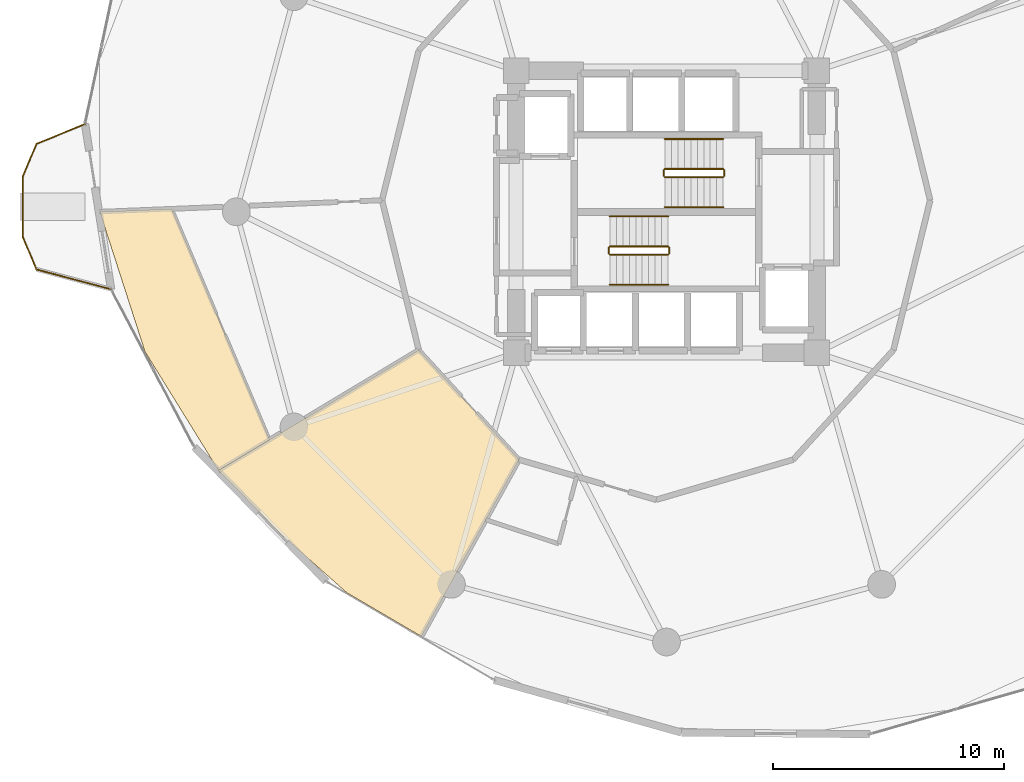
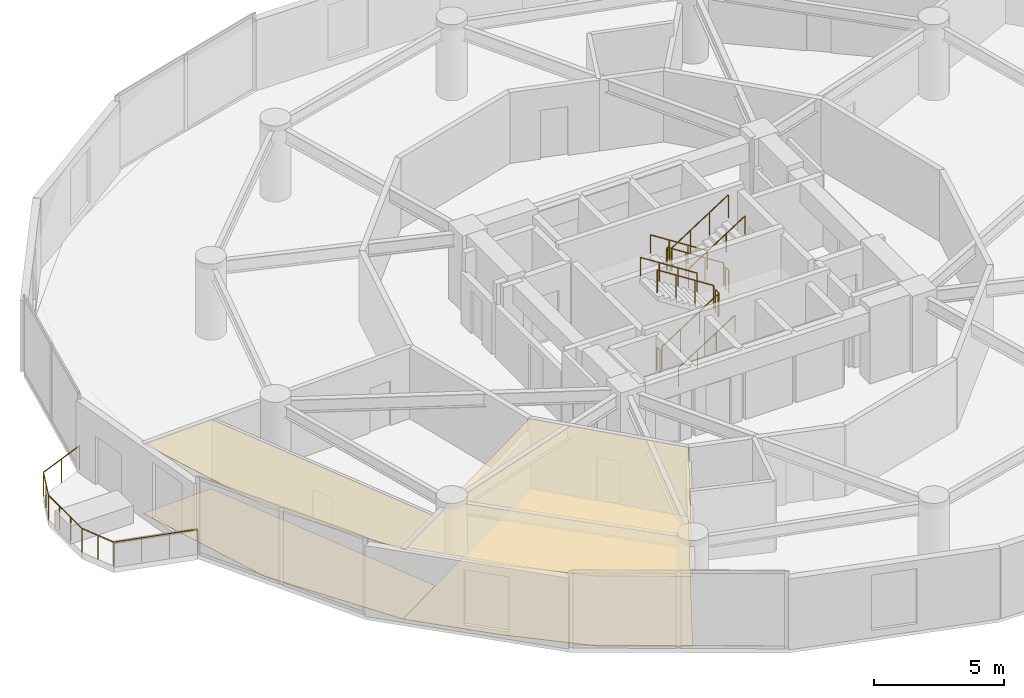
# One storey, part 23 of 24: 13 railings, 4 coverings.
"""IFC4 building model written with IfcOpenShell, lengths in metres."""

from ifc_helpers import new_model, si_unit, direction, frame, origin, origin_2d, place, context, subcontext, project, spatial, polyline, circle, outline, extrude, material, layer, layer_set, type_object, element, save


model = new_model("IFC4")

# Units and contexts
model_context = context("Model", 3, precision=1e-05, world=origin(), true_north=direction((0.0, 1.0)))
body_context = subcontext(model_context, "Body", "Model", "MODEL_VIEW")
ifc_project = project(units=[si_unit("LENGTHUNIT", "METRE"), si_unit("AREAUNIT", "SQUARE_METRE"), si_unit("VOLUMEUNIT", "CUBIC_METRE"), si_unit("PLANEANGLEUNIT", "RADIAN"), si_unit("MASSUNIT", "GRAM", prefix="KILO")], contexts=[model_context])

# Site, building, storey
site_placement = place(None, origin())
site = spatial("IfcSite", under=ifc_project, at=site_placement, CompositionType="ELEMENT")
building_placement = place(site_placement, origin())
building = spatial("IfcBuilding", under=site, at=building_placement, Name="Solvirekh Grand Hotel", CompositionType="ELEMENT")
storey_placement = place(building_placement, frame((0.0, 0.0, 82.39990234375)))
storey = spatial("IfcBuildingStorey", under=building, at=storey_placement, Name="L20", CompositionType="ELEMENT", Elevation=82.39990234375)

# Coverings
ifc_material_1 = material(Name="Acoustic Mineral Ceiling Tile")
ifc_layer_1 = layer(ifc_material_1, 0.02490234375)
ifc_layer_set_1 = layer_set([ifc_layer_1], Name="Acoustic Mineral Ceiling Tile")
covering_type_1 = type_object("IfcCoveringType", Name="Cov_Ceiling_Acoustic", PredefinedType="CEILING", material=ifc_layer_set_1)
covering_1_placement = place(storey_placement, frame((0.0, 0.0, 3.2900390625)))
element("IfcCovering", 1, at=covering_1_placement, inside=storey, type_object=covering_type_1, Name="L20 Presidential Suite 2202 Master Bedroom acoustic ceiling", PredefinedType="CEILING", context=body_context, shape_type="SweptSolid", body=[
    extrude(outline(polyline([(-24.501953125, 0.0), (-22.550048828125, -6.0419921875), (-19.3701171875, -11.18310546875), (-17.162109375, -9.85498046875), (-21.389892578125, 0.1279296875), (-24.501953125, 0.0)])), origin(), (0.0, 0.0, 1.0), 0.01806640625),
])
covering_2_placement = place(storey_placement, frame((0.0, 0.0, 3.2900390625)))
element("IfcCovering", 2, at=covering_2_placement, inside=storey, type_object=covering_type_1, Name="L20 L20 Cigar & Cognac Lounge acoustic ceiling", PredefinedType="CEILING", context=body_context, shape_type="SweptSolid", body=[
    extrude(outline(polyline([(-19.3701171875, -11.18310546875), (-16.64306640625, -13.965087890625), (-13.820068359375, -16.469970703125), (-10.59912109375, -18.35791015625), (-6.375, -10.715087890625), (-10.7119140625, -5.97509765625), (-19.3701171875, -11.18310546875)])), origin(), (0.0, 0.0, 1.0), 0.01806640625),
])
ifc_material_2 = material(Name="Porcelain Stoneware Flooring", Category="masonry")
ifc_layer_2 = layer(ifc_material_2, 0.030029296875)
ifc_layer_set_2 = layer_set([ifc_layer_2], Name="Porcelain Stoneware Flooring")
covering_type_2 = type_object("IfcCoveringType", Name="Cov_Floor_Stone", PredefinedType="FLOORING", material=ifc_layer_set_2)
covering_3_placement = place(storey_placement, origin())
element("IfcCovering", 3, at=covering_3_placement, inside=storey, type_object=covering_type_2, Name="L20 Presidential Suite 2202 Master Bedroom polished granite flooring", PredefinedType="FLOORING", context=body_context, shape_type="SweptSolid", body=[
    extrude(outline(polyline([(-24.501953125, 0.0), (-22.550048828125, -6.0419921875), (-19.3701171875, -11.18310546875), (-17.162109375, -9.85498046875), (-21.389892578125, 0.1279296875), (-24.501953125, 0.0)])), origin(), (0.0, 0.0, 1.0), 0.02001953125),
])
covering_4_placement = place(storey_placement, origin())
element("IfcCovering", 4, at=covering_4_placement, inside=storey, type_object=covering_type_2, Name="L20 L20 Cigar & Cognac Lounge polished granite flooring", PredefinedType="FLOORING", context=body_context, shape_type="SweptSolid", body=[
    extrude(outline(polyline([(-19.3701171875, -11.18310546875), (-16.64306640625, -13.965087890625), (-13.820068359375, -16.469970703125), (-10.59912109375, -18.35791015625), (-6.375, -10.715087890625), (-10.7119140625, -5.97509765625), (-19.3701171875, -11.18310546875)])), origin(), (0.0, 0.0, 1.0), 0.02001953125),
])

# Railings
ifc_material_3 = material(Name="Anodized Bronze Aluminium 6063-T6", Category="aluminium")
railing_type_1 = type_object("IfcRailingType", Name="Guard_ExtGlass_1150", PredefinedType="BALUSTRADE", material=ifc_material_3)
railing_1_placement = place(storey_placement, frame((-25.14111328125, 3.7939453125, 0.0)))
element("IfcRailing", 5, at=railing_1_placement, inside=storey, type_object=railing_type_1, Name="L20 horn perimeter glass balustrade", PredefinedType="BALUSTRADE", context=body_context, shape_type="SweptSolid", body=[
    extrude(circle(Radius=0.02392578125, at=origin_2d()), frame((0.0, 0.0, 1.1259765625), z_axis=(-0.925870700922, -0.377840502295, 0.0), x_axis=(0.377840502295, -0.925870700922, 0.0)), (0.0, 0.0, 1.0), 2.26806640625),
    extrude(circle(Radius=0.02392578125, at=origin_2d()), frame((-2.099853515625, -0.85693359375, 1.1259765625), z_axis=(-0.387197668856, -0.921996727344, 0.0), x_axis=(0.921996727344, -0.387197668856, 0.0)), (0.0, 0.0, 1.0), 1.5498046875),
    extrude(circle(Radius=0.02392578125, at=origin_2d()), frame((-2.699951171875, -2.285888671875, 1.1259765625), z_axis=(0.0, -1.0, 0.0), x_axis=(1.0, 0.0, 0.0)), (0.0, 0.0, 1.0), 2.572998046875),
    extrude(circle(Radius=0.02392578125, at=origin_2d()), frame((-2.699951171875, -4.85888671875, 1.1259765625), z_axis=(0.387197668856, -0.921996727344, 0.0), x_axis=(0.921996727344, 0.387197668856, 0.0)), (0.0, 0.0, 1.0), 1.5498046875),
    extrude(circle(Radius=0.02392578125, at=origin_2d()), frame((-2.099853515625, -6.287841796875, 1.1259765625), z_axis=(0.966524212646, -0.25657542043, 0.0), x_axis=(0.25657542043, 0.966524212646, 0.0)), (0.0, 0.0, 1.0), 3.3408203125),
    extrude(circle(Radius=0.02099609375, at=origin_2d()), origin(), (0.0, 0.0, 1.0), 1.101806640625),
    extrude(circle(Radius=0.02099609375, at=origin_2d()), frame((-1.0498046875, -0.428466796875, 0.0)), (0.0, 0.0, 1.0), 1.101806640625),
    extrude(circle(Radius=0.02099609375, at=origin_2d()), frame((-2.099853515625, -0.85693359375, 0.0)), (0.0, 0.0, 1.0), 1.101806640625),
    extrude(circle(Radius=0.02099609375, at=origin_2d()), frame((-2.39990234375, -1.5712890625, 0.0)), (0.0, 0.0, 1.0), 1.101806640625),
    extrude(circle(Radius=0.02099609375, at=origin_2d()), frame((-2.699951171875, -2.285888671875, 0.0)), (0.0, 0.0, 1.0), 1.101806640625),
    extrude(circle(Radius=0.02099609375, at=origin_2d()), frame((-2.699951171875, -3.1435546875, 0.0)), (0.0, 0.0, 1.0), 1.101806640625),
    extrude(circle(Radius=0.02099609375, at=origin_2d()), frame((-2.699951171875, -4.001220703125, 0.0)), (0.0, 0.0, 1.0), 1.101806640625),
    extrude(circle(Radius=0.02099609375, at=origin_2d()), frame((-2.699951171875, -4.85888671875, 0.0)), (0.0, 0.0, 1.0), 1.101806640625),
    extrude(circle(Radius=0.02099609375, at=origin_2d()), frame((-2.39990234375, -5.5732421875, 0.0)), (0.0, 0.0, 1.0), 1.101806640625),
    extrude(circle(Radius=0.02099609375, at=origin_2d()), frame((-2.099853515625, -6.287841796875, 0.0)), (0.0, 0.0, 1.0), 1.101806640625),
    extrude(circle(Radius=0.02099609375, at=origin_2d()), frame((-1.0234375, -6.573486328125, 0.0)), (0.0, 0.0, 1.0), 1.101806640625),
    extrude(circle(Radius=0.02099609375, at=origin_2d()), frame((0.052734375, -6.859375, 0.0)), (0.0, 0.0, 1.0), 1.101806640625),
    extrude(circle(Radius=0.02099609375, at=origin_2d()), frame((1.129150390625, -7.14501953125, 0.0)), (0.0, 0.0, 1.0), 1.101806640625),
])
ifc_material_4 = material(Name="Steel S355", Category="steel")
railing_type_2 = type_object("IfcRailingType", Name="Guard_Stair_1100", PredefinedType="GUARDRAIL", material=ifc_material_4)
railing_2_placement = place(storey_placement, frame((-2.449951171875, -1.85009765625, 0.18017578125)))
element("IfcRailing", 6, at=railing_2_placement, inside=storey, type_object=railing_type_2, Name="L20 ST-1 stair guard 1", PredefinedType="GUARDRAIL", context=body_context, shape_type="SweptSolid", body=[
    extrude(circle(Radius=0.02392578125, at=origin_2d()), frame((0.0, 0.0, 1.076171875), z_axis=(0.841199657755, 0.0, 0.540724639528), x_axis=(0.0, 1.0, 0.0)), (0.0, 0.0, 1.0), 2.995849609375),
    extrude(circle(Radius=0.02099609375, at=origin_2d()), origin(), (0.0, 0.0, 1.0), 1.052001953125),
    extrude(circle(Radius=0.02099609375, at=origin_2d()), frame((0.840087890625, 0.0, 0.5400390625)), (0.0, 0.0, 1.0), 1.052001953125),
    extrude(circle(Radius=0.02099609375, at=origin_2d()), frame((1.679931640625, 0.0, 1.079833984375)), (0.0, 0.0, 1.0), 1.052001953125),
    extrude(circle(Radius=0.02099609375, at=origin_2d()), frame((2.52001953125, 0.0, 1.619873046875)), (0.0, 0.0, 1.0), 1.052001953125),
])
railing_3_placement = place(storey_placement, frame((0.1201171875, -1.800048828125, 1.800048828125)))
element("IfcRailing", 7, at=railing_3_placement, inside=storey, type_object=railing_type_2, Name="L20 ST-1 stair guard 2", PredefinedType="GUARDRAIL", context=body_context, shape_type="SweptSolid", body=[
    extrude(circle(Radius=0.02392578125, at=origin_2d()), frame((0.0, 0.0, 1.076171875), z_axis=(0.0, 1.0, 0.0), x_axis=(-1.0, 0.0, 0.0)), (0.0, 0.0, 1.0), 0.25),
    extrude(circle(Radius=0.02099609375, at=origin_2d()), origin(), (0.0, 0.0, 1.0), 1.052001953125),
    extrude(circle(Radius=0.02099609375, at=origin_2d()), frame((0.0, 0.25, 0.0)), (0.0, 0.0, 1.0), 1.052001953125),
])
railing_4_placement = place(storey_placement, frame((0.070068359375, -1.5, 1.97998046875)))
element("IfcRailing", 8, at=railing_4_placement, inside=storey, type_object=railing_type_2, Name="L20 ST-1 stair guard 3", PredefinedType="GUARDRAIL", context=body_context, shape_type="SweptSolid", body=[
    extrude(circle(Radius=0.02392578125, at=origin_2d()), frame((0.0, 0.0, 1.076171875), z_axis=(-0.841162588446, 0.0, 0.540782303519), x_axis=(0.0, -1.0, 0.0)), (0.0, 0.0, 1.0), 2.995849609375),
    extrude(circle(Radius=0.02099609375, at=origin_2d()), origin(), (0.0, 0.0, 1.0), 1.052001953125),
    extrude(circle(Radius=0.02099609375, at=origin_2d()), frame((-0.840087890625, 0.0, 0.5400390625)), (0.0, 0.0, 1.0), 1.052001953125),
    extrude(circle(Radius=0.02099609375, at=origin_2d()), frame((-1.679931640625, 0.0, 1.080078125)), (0.0, 0.0, 1.0), 1.052001953125),
    extrude(circle(Radius=0.02099609375, at=origin_2d()), frame((-2.52001953125, 0.0, 1.6201171875)), (0.0, 0.0, 1.0), 1.052001953125),
])
railing_5_placement = place(storey_placement, frame((-2.5, -1.800048828125, 0.0)))
element("IfcRailing", 9, at=railing_5_placement, inside=storey, type_object=railing_type_2, Name="L20 ST-1 stair guard 4", PredefinedType="GUARDRAIL", context=body_context, shape_type="SweptSolid", body=[
    extrude(circle(Radius=0.02392578125, at=origin_2d()), frame((0.0, 0.0, 1.076171875), z_axis=(0.0, 1.0, 0.0), x_axis=(-1.0, 0.0, 0.0)), (0.0, 0.0, 1.0), 0.25),
    extrude(circle(Radius=0.02099609375, at=origin_2d()), origin(), (0.0, 0.0, 1.0), 1.052001953125),
    extrude(circle(Radius=0.02099609375, at=origin_2d()), frame((0.0, 0.25, 0.0)), (0.0, 0.0, 1.0), 1.052001953125),
])
railing_6_placement = place(storey_placement, frame((2.449951171875, 1.85009765625, 0.18017578125)))
element("IfcRailing", 10, at=railing_6_placement, inside=storey, type_object=railing_type_2, Name="L20 ST-2 stair guard 1", PredefinedType="GUARDRAIL", context=body_context, shape_type="SweptSolid", body=[
    extrude(circle(Radius=0.02392578125, at=origin_2d()), frame((0.0, 0.0, 1.076171875), z_axis=(-0.841199657755, 0.0, 0.540724639528), x_axis=(0.0, -1.0, 0.0)), (0.0, 0.0, 1.0), 2.995849609375),
    extrude(circle(Radius=0.02099609375, at=origin_2d()), origin(), (0.0, 0.0, 1.0), 1.052001953125),
    extrude(circle(Radius=0.02099609375, at=origin_2d()), frame((-0.840087890625, 0.0, 0.5400390625)), (0.0, 0.0, 1.0), 1.052001953125),
    extrude(circle(Radius=0.02099609375, at=origin_2d()), frame((-1.679931640625, 0.0, 1.079833984375)), (0.0, 0.0, 1.0), 1.052001953125),
    extrude(circle(Radius=0.02099609375, at=origin_2d()), frame((-2.52001953125, 0.0, 1.619873046875)), (0.0, 0.0, 1.0), 1.052001953125),
])
railing_7_placement = place(storey_placement, frame((-0.1201171875, 1.800048828125, 1.800048828125)))
element("IfcRailing", 11, at=railing_7_placement, inside=storey, type_object=railing_type_2, Name="L20 ST-2 stair guard 2", PredefinedType="GUARDRAIL", context=body_context, shape_type="SweptSolid", body=[
    extrude(circle(Radius=0.02392578125, at=origin_2d()), frame((0.0, 0.0, 1.076171875), z_axis=(0.0, -1.0, 0.0), x_axis=(1.0, 0.0, 0.0)), (0.0, 0.0, 1.0), 0.25),
    extrude(circle(Radius=0.02099609375, at=origin_2d()), origin(), (0.0, 0.0, 1.0), 1.052001953125),
    extrude(circle(Radius=0.02099609375, at=origin_2d()), frame((0.0, -0.25, 0.0)), (0.0, 0.0, 1.0), 1.052001953125),
])
railing_8_placement = place(storey_placement, frame((-0.070068359375, 1.5, 1.97998046875)))
element("IfcRailing", 12, at=railing_8_placement, inside=storey, type_object=railing_type_2, Name="L20 ST-2 stair guard 3", PredefinedType="GUARDRAIL", context=body_context, shape_type="SweptSolid", body=[
    extrude(circle(Radius=0.02392578125, at=origin_2d()), frame((0.0, 0.0, 1.076171875), z_axis=(0.841162588446, 0.0, 0.540782303519), x_axis=(0.0, 1.0, 0.0)), (0.0, 0.0, 1.0), 2.995849609375),
    extrude(circle(Radius=0.02099609375, at=origin_2d()), origin(), (0.0, 0.0, 1.0), 1.052001953125),
    extrude(circle(Radius=0.02099609375, at=origin_2d()), frame((0.840087890625, 0.0, 0.5400390625)), (0.0, 0.0, 1.0), 1.052001953125),
    extrude(circle(Radius=0.02099609375, at=origin_2d()), frame((1.679931640625, 0.0, 1.080078125)), (0.0, 0.0, 1.0), 1.052001953125),
    extrude(circle(Radius=0.02099609375, at=origin_2d()), frame((2.52001953125, 0.0, 1.6201171875)), (0.0, 0.0, 1.0), 1.052001953125),
])
railing_9_placement = place(storey_placement, frame((2.5, 1.800048828125, 0.0)))
element("IfcRailing", 13, at=railing_9_placement, inside=storey, type_object=railing_type_2, Name="L20 ST-2 stair guard 4", PredefinedType="GUARDRAIL", context=body_context, shape_type="SweptSolid", body=[
    extrude(circle(Radius=0.02392578125, at=origin_2d()), frame((0.0, 0.0, 1.076171875), z_axis=(0.0, -1.0, 0.0), x_axis=(1.0, 0.0, 0.0)), (0.0, 0.0, 1.0), 0.25),
    extrude(circle(Radius=0.02099609375, at=origin_2d()), origin(), (0.0, 0.0, 1.0), 1.052001953125),
    extrude(circle(Radius=0.02099609375, at=origin_2d()), frame((0.0, -0.25, 0.0)), (0.0, 0.0, 1.0), 1.052001953125),
])
railing_type_3 = type_object("IfcRailingType", Name="Handrail_Wall_900", PredefinedType="HANDRAIL", material=ifc_material_3)
railing_10_placement = place(storey_placement, frame((-2.449951171875, -3.14990234375, 0.18017578125)))
element("IfcRailing", 14, at=railing_10_placement, inside=storey, type_object=railing_type_3, Name="L20 ST-1 stair handrail 1", PredefinedType="HANDRAIL", context=body_context, shape_type="SweptSolid", body=[
    extrude(circle(Radius=0.02392578125, at=origin_2d()), frame((0.0, 0.0, 0.8759765625), z_axis=(0.841199657755, 0.0, 0.540724639528), x_axis=(0.0, 1.0, 0.0)), (0.0, 0.0, 1.0), 2.995849609375),
    extrude(circle(Radius=0.02099609375, at=origin_2d()), origin(), (0.0, 0.0, 1.0), 0.851806640625),
    extrude(circle(Radius=0.02099609375, at=origin_2d()), frame((0.840087890625, 0.0, 0.5400390625)), (0.0, 0.0, 1.0), 0.851806640625),
    extrude(circle(Radius=0.02099609375, at=origin_2d()), frame((1.679931640625, 0.0, 1.079833984375)), (0.0, 0.0, 1.0), 0.851806640625),
    extrude(circle(Radius=0.02099609375, at=origin_2d()), frame((2.52001953125, 0.0, 1.619873046875)), (0.0, 0.0, 1.0), 0.851806640625),
])
railing_11_placement = place(storey_placement, frame((0.070068359375, -0.199951171875, 1.97998046875)))
element("IfcRailing", 15, at=railing_11_placement, inside=storey, type_object=railing_type_3, Name="L20 ST-1 stair handrail 2", PredefinedType="HANDRAIL", context=body_context, shape_type="SweptSolid", body=[
    extrude(circle(Radius=0.02392578125, at=origin_2d()), frame((0.0, 0.0, 0.8759765625), z_axis=(-0.841162588446, 0.0, 0.540782303519), x_axis=(0.0, -1.0, 0.0)), (0.0, 0.0, 1.0), 2.995849609375),
    extrude(circle(Radius=0.02099609375, at=origin_2d()), origin(), (0.0, 0.0, 1.0), 0.851806640625),
    extrude(circle(Radius=0.02099609375, at=origin_2d()), frame((-0.840087890625, 0.0, 0.5400390625)), (0.0, 0.0, 1.0), 0.851806640625),
    extrude(circle(Radius=0.02099609375, at=origin_2d()), frame((-1.679931640625, 0.0, 1.080078125)), (0.0, 0.0, 1.0), 0.851806640625),
    extrude(circle(Radius=0.02099609375, at=origin_2d()), frame((-2.52001953125, 0.0, 1.6201171875)), (0.0, 0.0, 1.0), 0.851806640625),
])
railing_12_placement = place(storey_placement, frame((2.449951171875, 3.14990234375, 0.18017578125)))
element("IfcRailing", 16, at=railing_12_placement, inside=storey, type_object=railing_type_3, Name="L20 ST-2 stair handrail 1", PredefinedType="HANDRAIL", context=body_context, shape_type="SweptSolid", body=[
    extrude(circle(Radius=0.02392578125, at=origin_2d()), frame((0.0, 0.0, 0.8759765625), z_axis=(-0.841199657755, 0.0, 0.540724639528), x_axis=(0.0, -1.0, 0.0)), (0.0, 0.0, 1.0), 2.995849609375),
    extrude(circle(Radius=0.02099609375, at=origin_2d()), origin(), (0.0, 0.0, 1.0), 0.851806640625),
    extrude(circle(Radius=0.02099609375, at=origin_2d()), frame((-0.840087890625, 0.0, 0.5400390625)), (0.0, 0.0, 1.0), 0.851806640625),
    extrude(circle(Radius=0.02099609375, at=origin_2d()), frame((-1.679931640625, 0.0, 1.079833984375)), (0.0, 0.0, 1.0), 0.851806640625),
    extrude(circle(Radius=0.02099609375, at=origin_2d()), frame((-2.52001953125, 0.0, 1.619873046875)), (0.0, 0.0, 1.0), 0.851806640625),
])
railing_13_placement = place(storey_placement, frame((-0.070068359375, 0.199951171875, 1.97998046875)))
element("IfcRailing", 17, at=railing_13_placement, inside=storey, type_object=railing_type_3, Name="L20 ST-2 stair handrail 2", PredefinedType="HANDRAIL", context=body_context, shape_type="SweptSolid", body=[
    extrude(circle(Radius=0.02392578125, at=origin_2d()), frame((0.0, 0.0, 0.8759765625), z_axis=(0.841162588446, 0.0, 0.540782303519), x_axis=(0.0, 1.0, 0.0)), (0.0, 0.0, 1.0), 2.995849609375),
    extrude(circle(Radius=0.02099609375, at=origin_2d()), origin(), (0.0, 0.0, 1.0), 0.851806640625),
    extrude(circle(Radius=0.02099609375, at=origin_2d()), frame((0.840087890625, 0.0, 0.5400390625)), (0.0, 0.0, 1.0), 0.851806640625),
    extrude(circle(Radius=0.02099609375, at=origin_2d()), frame((1.679931640625, 0.0, 1.080078125)), (0.0, 0.0, 1.0), 0.851806640625),
    extrude(circle(Radius=0.02099609375, at=origin_2d()), frame((2.52001953125, 0.0, 1.6201171875)), (0.0, 0.0, 1.0), 0.851806640625),
])

save(model, "model.ifc")
